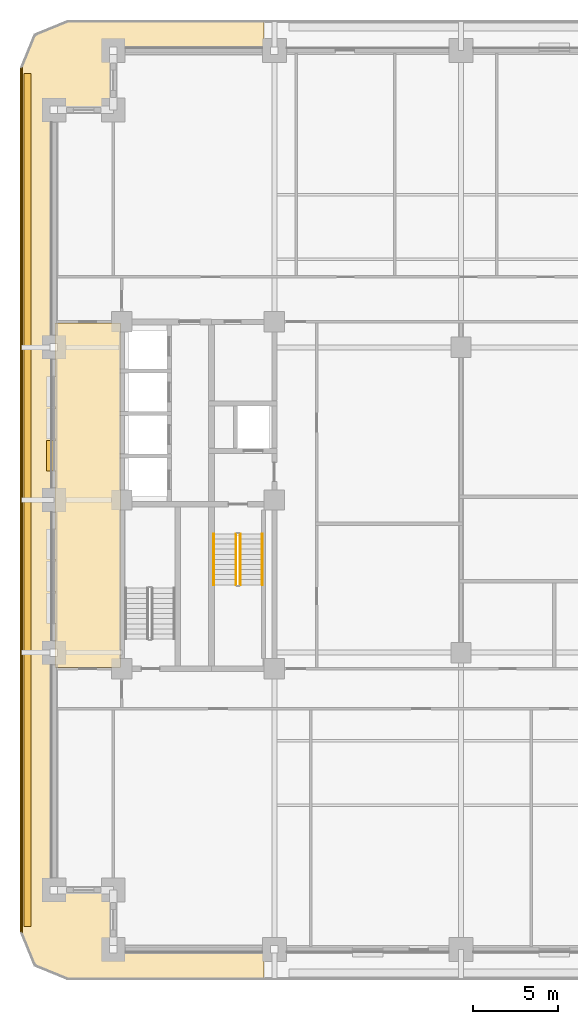
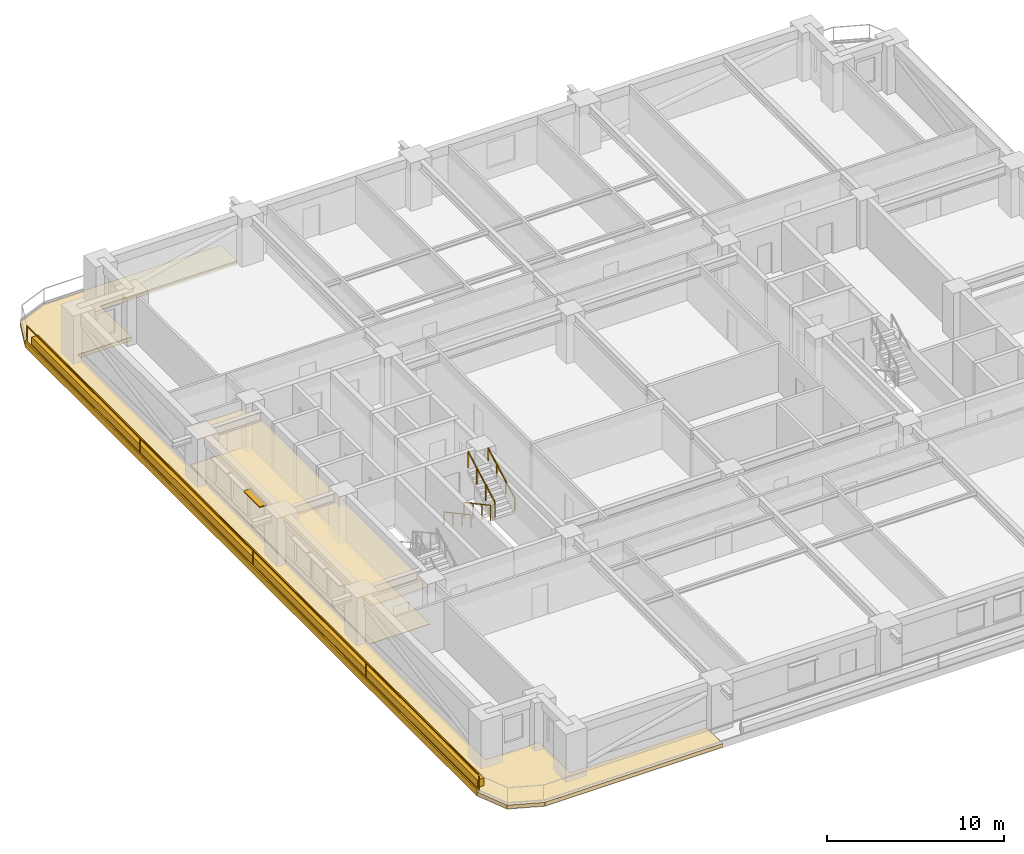
# One storey, part 9 of 14: 5 coverings, 5 railings, 1 shading device.
"""IFC4 building model written with IfcOpenShell, lengths in metres."""

from ifc_helpers import new_model, si_unit, direction, frame, frame_2d, origin, origin_2d, place, context, subcontext, project, spatial, polyline, rectangle, outline, extrude, material, layer, layer_set, type_object, element, save


model = new_model("IFC4")

# Units and contexts
model_context = context("Model", 3, precision=1e-05, world=origin(), true_north=direction((0.0, 1.0)))
body_context = subcontext(model_context, "Body", "Model", "MODEL_VIEW")
ifc_project = project(units=[si_unit("LENGTHUNIT", "METRE"), si_unit("AREAUNIT", "SQUARE_METRE"), si_unit("VOLUMEUNIT", "CUBIC_METRE"), si_unit("PLANEANGLEUNIT", "RADIAN"), si_unit("MASSUNIT", "GRAM", prefix="KILO")], contexts=[model_context])

# Site, building, storey
site_placement = place(None, origin())
site = spatial("IfcSite", under=ifc_project, at=site_placement, CompositionType="ELEMENT")
building_placement = place(site_placement, origin())
building = spatial("IfcBuilding", under=site, at=building_placement, Name="Zulmaris Gate Convention Tower", CompositionType="ELEMENT")
storey_placement = place(building_placement, frame((0.0, 0.0, 45.050048828125)))
storey = spatial("IfcBuildingStorey", under=building, at=storey_placement, Name="L10", CompositionType="ELEMENT", Elevation=45.050048828125)

# Coverings
ifc_material_1 = material(Name="White Glazed Architectural Precast Concrete C40/50", Category="concrete")
ifc_layer_1 = layer(ifc_material_1, 0.239990234375, Name="White Glazed Architectural Precast Concrete C40/50")
ifc_layer_set_1 = layer_set([ifc_layer_1], Name="White Glazed Architectural Precast Concrete C40/50")
covering_type_1 = type_object("IfcCoveringType", Name="CLAD-TRAY-DECK", PredefinedType="CLADDING", material=ifc_layer_set_1)
covering_1_placement = place(storey_placement, frame((0.0, 0.0, -0.25)))
element("IfcCovering", 1, at=covering_1_placement, inside=storey, type_object=covering_type_1, Name="L10 West Rounded-Fascia Planter Tray Deck", PredefinedType="CLADDING", context=body_context, shape_type="SweptSolid", body=[
    extrude(outline(polyline([(-26.0, 25.5), (-25.179931640625, 27.47998046875), (-23.199951171875, 28.300048828125), (-11.60205078125, 28.300048828125), (-11.60205078125, 26.5), (-20.5, 26.5), (-20.5, 23.0), (-24.0, 23.0), (-24.0, -23.0), (-20.5, -23.0), (-20.5, -26.5), (-11.60205078125, -26.5), (-11.60205078125, -28.300048828125), (-23.199951171875, -28.300048828125), (-25.179931640625, -27.47998046875), (-26.0, -25.5), (-26.0, 25.5)])), origin(), (0.0, 0.0, 1.0), 0.260009765625),
])
ifc_layer_2 = layer(ifc_material_1, 0.080078125, Name="White Glazed Architectural Precast Concrete C40/50")
ifc_layer_set_2 = layer_set([ifc_layer_2], Name="White Glazed Architectural Precast Concrete C40/50")
covering_type_2 = type_object("IfcCoveringType", Name="CLAD-TRAY-FASCIA", PredefinedType="CLADDING", material=ifc_layer_set_2)
covering_2_placement = place(storey_placement, frame((-25.9599609375, 25.5, -0.2900390625), z_axis=(0.0, 0.0, 1.0), x_axis=(0.0, -1.0, 0.0)))
element("IfcCovering", 2, at=covering_2_placement, inside=storey, type_object=covering_type_2, Name="FSC-L10-TR-11", PredefinedType="CLADDING", context=body_context, shape_type="SweptSolid", body=[
    extrude(rectangle(XDim=51.0, YDim=0.080078125, at=frame_2d((25.5, 0.0))), origin(), (0.0, 0.0, 1.0), 0.4599609375),
])
ifc_material_2 = material(Name="Mineral Fibre Acoustic Ceiling Tile")
ifc_layer_3 = layer(ifc_material_2, 0.02001953125, Name="Mineral Fibre Acoustic Ceiling Tile")
ifc_layer_set_3 = layer_set([ifc_layer_3], Name="Mineral Fibre Acoustic Ceiling Tile")
covering_type_3 = type_object("IfcCoveringType", Name="CLG-ACOUSTIC-600", PredefinedType="CEILING", material=ifc_layer_set_3)
covering_3_placement = place(storey_placement, frame((0.0, 0.0, 2.6279296875)))
element("IfcCovering", 3, at=covering_3_placement, inside=storey, type_object=covering_type_3, Name="CLG-L10-R47", PredefinedType="CEILING", context=body_context, shape_type="SweptSolid", body=[
    extrude(outline(polyline([(-23.93994140625, -9.889892578125), (-20.06005859375, -9.889892578125), (-20.06005859375, 10.43994140625), (-23.93994140625, 10.43994140625), (-23.93994140625, -9.889892578125)])), origin(), (0.0, 0.0, 1.0), 0.02001953125),
])
ifc_material_3 = material(Name="Woven Acoustic Wool Carpet Tile")
ifc_layer_4 = layer(ifc_material_3, 0.02001953125, Name="Woven Acoustic Wool Carpet Tile")
ifc_layer_set_4 = layer_set([ifc_layer_4], Name="Woven Acoustic Wool Carpet Tile")
covering_type_4 = type_object("IfcCoveringType", Name="FLR-CARPET-12", PredefinedType="FLOORING", material=ifc_layer_set_4)
covering_4_placement = place(storey_placement, origin())
element("IfcCovering", 4, at=covering_4_placement, inside=storey, type_object=covering_type_4, Name="FLR-L10-R47", PredefinedType="FLOORING", context=body_context, shape_type="SweptSolid", body=[
    extrude(outline(polyline([(-23.93994140625, -9.889892578125), (-20.06005859375, -9.889892578125), (-20.06005859375, 10.43994140625), (-23.93994140625, 10.43994140625), (-23.93994140625, -9.889892578125)])), origin(), (0.0, 0.0, 1.0), 0.02001953125),
])
ifc_material_4 = material(Name="Botanical Green Glazed Precast Concrete C40/50", Category="concrete")
ifc_layer_5 = layer(ifc_material_4, 0.419921875, Name="Botanical Green Glazed Precast Concrete C40/50")
ifc_layer_set_5 = layer_set([ifc_layer_5], Name="Botanical Green Glazed Precast Concrete C40/50")
covering_type_5 = type_object("IfcCoveringType", Name="PLANTER-BOX-200", PredefinedType="CLADDING", material=ifc_layer_set_5)
covering_5_placement = place(storey_placement, frame((0.0, 0.0, 0.010009765625)))
element("IfcCovering", 5, at=covering_5_placement, inside=storey, type_object=covering_type_5, Name="L10 W Full-Length Balcony Tree Planter Trough", PredefinedType="CLADDING", context=body_context, shape_type="SweptSolid", body=[
    extrude(outline(polyline([(-25.760009765625, -25.14990234375), (-25.340087890625, -25.14990234375), (-25.340087890625, 25.14990234375), (-25.760009765625, 25.14990234375), (-25.760009765625, -25.14990234375)])), origin(), (0.0, 0.0, 1.0), 0.52001953125),
])

# Railings
ifc_material_5 = material(Name="Laminated Glass and Stainless Steel", Category="steel")
railing_type_1 = type_object("IfcRailingType", Name="RL-BALC-1150", PredefinedType="BALUSTRADE", material=ifc_material_5)
railing_1_placement = place(storey_placement, frame((-25.8798828125, 25.5, 0.010009765625)))
element("IfcRailing", 6, at=railing_1_placement, inside=storey, type_object=railing_type_1, Name="RL-L10-BALC-W", PredefinedType="BALUSTRADE", context=body_context, shape_type="SweptSolid", body=[
    extrude(rectangle(XDim=0.048095703125, YDim=0.048095703125, at=origin_2d()), frame((0.0, 0.0, 1.1259765625), z_axis=(0.0, -1.0, 0.0), x_axis=(1.0, 0.0, 0.0)), (0.0, 0.0, 1.0), 51.0),
    extrude(rectangle(XDim=0.048095703125, YDim=0.048095703125, at=origin_2d()), frame((0.0, 0.0, 0.02392578125), z_axis=(0.0, -1.0, 0.0), x_axis=(1.0, 0.0, 0.0)), (0.0, 0.0, 1.0), 51.0),
    extrude(rectangle(XDim=0.0419921875, YDim=0.0419921875, at=origin_2d()), origin(), (0.0, 0.0, 1.0), 1.101806640625),
    extrude(rectangle(XDim=0.0419921875, YDim=0.0419921875, at=origin_2d()), frame((0.0, -12.75, 0.0)), (0.0, 0.0, 1.0), 1.101806640625),
    extrude(rectangle(XDim=0.0419921875, YDim=0.0419921875, at=origin_2d()), frame((0.0, -25.5, 0.0)), (0.0, 0.0, 1.0), 1.101806640625),
    extrude(rectangle(XDim=0.0419921875, YDim=0.0419921875, at=origin_2d()), frame((0.0, -38.25, 0.0)), (0.0, 0.0, 1.0), 1.101806640625),
    extrude(rectangle(XDim=0.0419921875, YDim=0.0419921875, at=origin_2d()), frame((0.0, -51.0, 0.0)), (0.0, 0.0, 1.0), 1.101806640625),
])
ifc_material_6 = material(Name="Painted Galvanised Steel", Category="steel")
railing_type_2 = type_object("IfcRailingType", Name="RL-STG-1150", PredefinedType="GUARDRAIL", material=ifc_material_6)
railing_2_placement = place(storey_placement, frame((-13.27001953125, -2.0, 0.162109375)))
element("IfcRailing", 7, at=railing_2_placement, inside=storey, type_object=railing_type_2, Name="L10 ST-1 stair guard 1", PredefinedType="GUARDRAIL", context=body_context, shape_type="SweptSolid", body=[
    extrude(rectangle(XDim=0.048095703125, YDim=0.048095703125, at=origin_2d()), frame((0.0, 0.0, 1.076171875), z_axis=(0.0, -0.8795616155, 0.475784998228), x_axis=(1.0, 0.0, 0.0)), (0.0, 0.0, 1.0), 3.410888671875),
    extrude(rectangle(XDim=0.0419921875, YDim=0.0419921875, at=origin_2d()), origin(), (0.0, 0.0, 1.0), 1.052001953125),
    extrude(rectangle(XDim=0.0419921875, YDim=0.0419921875, at=origin_2d()), frame((0.0, -1.0, 0.541015625)), (0.0, 0.0, 1.0), 1.052001953125),
    extrude(rectangle(XDim=0.0419921875, YDim=0.0419921875, at=origin_2d()), frame((0.0, -2.0, 1.081787109375)), (0.0, 0.0, 1.0), 1.052001953125),
    extrude(rectangle(XDim=0.0419921875, YDim=0.0419921875, at=origin_2d()), frame((0.0, -3.0, 1.622802734375)), (0.0, 0.0, 1.0), 1.052001953125),
])
railing_3_placement = place(storey_placement, frame((-13.010009765625, -5.0, 1.947265625)))
element("IfcRailing", 8, at=railing_3_placement, inside=storey, type_object=railing_type_2, Name="L10 ST-1 stair guard 3", PredefinedType="GUARDRAIL", context=body_context, shape_type="SweptSolid", body=[
    extrude(rectangle(XDim=0.048095703125, YDim=0.048095703125, at=origin_2d()), frame((0.0, 0.0, 1.076171875), z_axis=(0.0, 0.8795616155, 0.475784998228), x_axis=(-1.0, 0.0, 0.0)), (0.0, 0.0, 1.0), 3.410888671875),
    extrude(rectangle(XDim=0.0419921875, YDim=0.0419921875, at=origin_2d()), origin(), (0.0, 0.0, 1.0), 1.052001953125),
    extrude(rectangle(XDim=0.0419921875, YDim=0.0419921875, at=origin_2d()), frame((0.0, 1.0, 0.541015625)), (0.0, 0.0, 1.0), 1.052001953125),
    extrude(rectangle(XDim=0.0419921875, YDim=0.0419921875, at=origin_2d()), frame((0.0, 2.0, 1.081787109375)), (0.0, 0.0, 1.0), 1.052001953125),
    extrude(rectangle(XDim=0.0419921875, YDim=0.0419921875, at=origin_2d()), frame((0.0, 3.0, 1.622802734375)), (0.0, 0.0, 1.0), 1.052001953125),
])
ifc_material_7 = material(Name="Brushed Stainless Steel", Category="steel")
railing_type_3 = type_object("IfcRailingType", Name="RL-STH-900", PredefinedType="HANDRAIL", material=ifc_material_7)
railing_4_placement = place(storey_placement, frame((-14.570068359375, -2.0, 0.162109375)))
element("IfcRailing", 9, at=railing_4_placement, inside=storey, type_object=railing_type_3, Name="L10 ST-1 stair handrail 1", PredefinedType="HANDRAIL", context=body_context, shape_type="SweptSolid", body=[
    extrude(rectangle(XDim=0.048095703125, YDim=0.048095703125, at=origin_2d()), frame((0.0, 0.0, 0.8759765625), z_axis=(0.0, -0.8795616155, 0.475784998228), x_axis=(1.0, 0.0, 0.0)), (0.0, 0.0, 1.0), 3.410888671875),
    extrude(rectangle(XDim=0.0419921875, YDim=0.0419921875, at=origin_2d()), origin(), (0.0, 0.0, 1.0), 0.851806640625),
    extrude(rectangle(XDim=0.0419921875, YDim=0.0419921875, at=origin_2d()), frame((0.0, -1.0, 0.541015625)), (0.0, 0.0, 1.0), 0.851806640625),
    extrude(rectangle(XDim=0.0419921875, YDim=0.0419921875, at=origin_2d()), frame((0.0, -2.0, 1.081787109375)), (0.0, 0.0, 1.0), 0.851806640625),
    extrude(rectangle(XDim=0.0419921875, YDim=0.0419921875, at=origin_2d()), frame((0.0, -3.0, 1.622802734375)), (0.0, 0.0, 1.0), 0.851806640625),
])
railing_5_placement = place(storey_placement, frame((-11.7099609375, -5.0, 1.947265625)))
element("IfcRailing", 10, at=railing_5_placement, inside=storey, type_object=railing_type_3, Name="L10 ST-1 stair handrail 2", PredefinedType="HANDRAIL", context=body_context, shape_type="SweptSolid", body=[
    extrude(rectangle(XDim=0.048095703125, YDim=0.048095703125, at=origin_2d()), frame((0.0, 0.0, 0.8759765625), z_axis=(0.0, 0.8795616155, 0.475784998228), x_axis=(-1.0, 0.0, 0.0)), (0.0, 0.0, 1.0), 3.410888671875),
    extrude(rectangle(XDim=0.0419921875, YDim=0.0419921875, at=origin_2d()), origin(), (0.0, 0.0, 1.0), 0.851806640625),
    extrude(rectangle(XDim=0.0419921875, YDim=0.0419921875, at=origin_2d()), frame((0.0, 1.0, 0.541015625)), (0.0, 0.0, 1.0), 0.851806640625),
    extrude(rectangle(XDim=0.0419921875, YDim=0.0419921875, at=origin_2d()), frame((0.0, 2.0, 1.081787109375)), (0.0, 0.0, 1.0), 0.851806640625),
    extrude(rectangle(XDim=0.0419921875, YDim=0.0419921875, at=origin_2d()), frame((0.0, 3.0, 1.622802734375)), (0.0, 0.0, 1.0), 0.851806640625),
])

# Shading device
ifc_material_8 = material(Name="Glazed Ceramic Terracotta", Category="masonry")
ifc_layer_6 = layer(ifc_material_8, 0.070068359375, Name="Glazed Ceramic Terracotta")
ifc_layer_set_6 = layer_set([ifc_layer_6], Name="Glazed Ceramic Terracotta")
shading_device_type = type_object("IfcShadingDeviceType", Name="SHD-SUNSHADE-TC", PredefinedType="AWNING", material=ifc_layer_set_6)
shading_device_placement = place(storey_placement, frame((-24.219970703125, 3.514892578125, 2.530029296875), z_axis=(0.0, 0.0, 1.0), x_axis=(0.0, -1.0, 0.0)))
element("IfcShadingDevice", 11, at=shading_device_placement, inside=storey, type_object=shading_device_type, Name="SHD-EW-L10-W-2_0-3", PredefinedType="AWNING", context=body_context, shape_type="SweptSolid", body=[
    extrude(rectangle(XDim=1.7998046875, YDim=0.43994140625, at=frame_2d((0.89990234375, 0.0))), origin(), (0.0, 0.0, 1.0), 0.06982421875),
])

save(model, "model.ifc")
